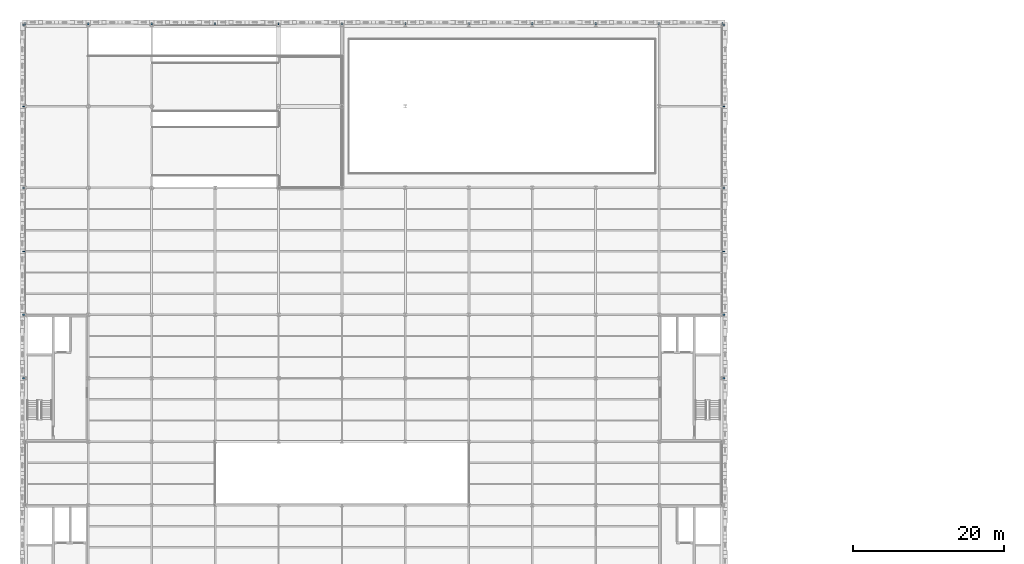
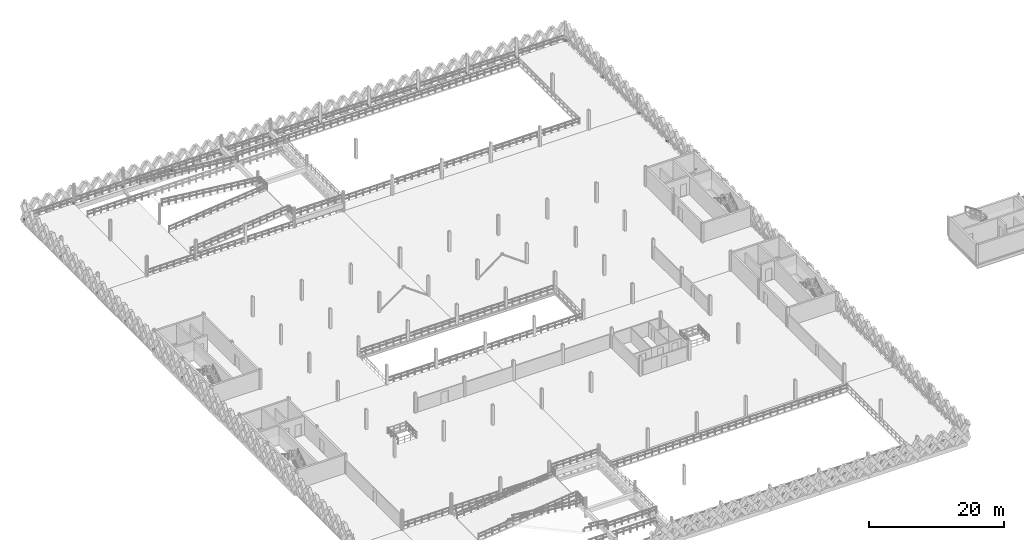
# One storey, part 47 of 79: 24 members.
"""IFC4 building model written with IfcOpenShell, lengths in metres."""

from ifc_helpers import new_model, si_unit, direction, frame, origin, origin_2d, place, context, subcontext, project, spatial, hollow_rectangle, extrude, material, material_profile, profile_set, type_object, element, save


model = new_model("IFC4")

# Units and contexts
model_context = context("Model", 3, precision=1e-05, world=origin(), true_north=direction((0.0, 1.0)))
body_context = subcontext(model_context, "Body", "Model", "MODEL_VIEW")
ifc_project = project(units=[si_unit("LENGTHUNIT", "METRE"), si_unit("AREAUNIT", "SQUARE_METRE"), si_unit("VOLUMEUNIT", "CUBIC_METRE"), si_unit("PLANEANGLEUNIT", "RADIAN"), si_unit("MASSUNIT", "GRAM", prefix="KILO"), si_unit("THERMODYNAMICTEMPERATUREUNIT", "KELVIN"), si_unit("POWERUNIT", "WATT")], contexts=[model_context])

# Site, building, storey
site_placement = place(None, origin())
site = spatial("IfcSite", under=ifc_project, at=site_placement, CompositionType="ELEMENT")
building_placement = place(site_placement, origin())
building = spatial("IfcBuilding", under=site, at=building_placement, Name="Tembeka Court Mobility Hub", CompositionType="ELEMENT")
storey_placement = place(building_placement, frame((0.0, 0.0, 9.0)))
storey = spatial("IfcBuildingStorey", under=building, at=storey_placement, Name="L02", CompositionType="ELEMENT", Elevation=9.0)

# Members
ifc_material = material(Name="Steel S355", Category="steel")
ifc_material_profile = material_profile(ifc_material, hollow_rectangle(XDim=0.14990234375, YDim=0.300048828125, WallThickness=0.010009765625, at=origin_2d()), Name="RHS 300x150x10")
ifc_profile_set = profile_set([ifc_material_profile], Name="Steel S355")
member_type = type_object("IfcMemberType", Name="MEM-ST03", PredefinedType="STRUT", material=ifc_profile_set)
for number, where, z_axis, x_axis, name in (
    (1, (0.0, 118.800048828125, 0.02001953125), (0.0, 1.0, 0.0), (-1.0, 0.0, 0.0), "Lattice outrigger tie SR03 (L02-Y-0)"),
    (2, (8.39990234375, 118.800048828125, 0.02001953125), (0.0, 1.0, 0.0), (-1.0, 0.0, 0.0), "Lattice outrigger tie SR03 (L02-Y-8)"),
    (3, (16.800048828125, 118.800048828125, 0.02001953125), (0.0, 1.0, 0.0), (-1.0, 0.0, 0.0), "Lattice outrigger tie SR03 (L02-Y-16)"),
    (4, (25.199951171875, 118.800048828125, 0.02001953125), (0.0, 1.0, 0.0), (-1.0, 0.0, 0.0), "Lattice outrigger tie SR03 (L02-Y-25)"),
    (5, (33.60009765625, 118.800048828125, 0.02001953125), (0.0, 1.0, 0.0), (-1.0, 0.0, 0.0), "Lattice outrigger tie SR03 (L02-Y-33)"),
    (6, (42.0, 118.800048828125, 0.02001953125), (0.0, 1.0, 0.0), (-1.0, 0.0, 0.0), "Lattice outrigger tie SR03 (L02-Y-42)"),
    (7, (50.39990234375, 118.800048828125, 0.02001953125), (0.0, 1.0, 0.0), (-1.0, 0.0, 0.0), "Lattice outrigger tie SR03 (L02-Y-50)"),
    (8, (58.800048828125, 118.800048828125, 0.02001953125), (0.0, 1.0, 0.0), (-1.0, 0.0, 0.0), "Lattice outrigger tie SR03 (L02-Y-58)"),
    (9, (67.199951171875, 118.800048828125, 0.02001953125), (0.0, 1.0, 0.0), (-1.0, 0.0, 0.0), "Lattice outrigger tie SR03 (L02-Y-67)"),
    (10, (75.60009765625, 118.800048828125, 0.02001953125), (0.0, 1.0, 0.0), (-1.0, 0.0, 0.0), "Lattice outrigger tie SR03 (L02-Y-75)"),
    (11, (84.0, 118.800048828125, 0.02001953125), (0.0, 1.0, 0.0), (-1.0, 0.0, 0.0), "Lattice outrigger tie SR03 (L02-Y-84)"),
    (12, (92.39990234375, 118.800048828125, 0.02001953125), (0.0, 1.0, 0.0), (-1.0, 0.0, 0.0), "Lattice outrigger tie SR03 (L02-Y-92)"),
):
    element("IfcMember", number, at=place(storey_placement, frame(where, z_axis=z_axis, x_axis=x_axis)), inside=storey, type_object=member_type, Name=name, PredefinedType="STRUT", context=body_context, shape_type="SweptSolid", body=[
        extrude(hollow_rectangle(XDim=0.14990234375, YDim=0.300048828125, WallThickness=0.010009765625, at=origin_2d()), origin(), (0.0, 0.0, 1.0), 0.33984375),
    ])
for number, where, z_axis, x_axis, name in (
    (13, (0.0, 72.0, 0.02001953125), (-1.0, 0.0, 0.0), (0.0, -1.0, 0.0), "Lattice outrigger tie SR03 (L02-X-72)"),
    (14, (92.39990234375, 72.0, 0.02001953125), (1.0, 0.0, 0.0), (0.0, 1.0, 0.0), "Lattice outrigger tie SR03 (L02-X-72)"),
    (15, (0.0, 80.39990234375, 0.02001953125), (-1.0, 0.0, 0.0), (0.0, -1.0, 0.0), "Lattice outrigger tie SR03 (L02-X-80)"),
    (16, (92.39990234375, 80.39990234375, 0.02001953125), (1.0, 0.0, 0.0), (0.0, 1.0, 0.0), "Lattice outrigger tie SR03 (L02-X-80)"),
    (17, (0.0, 88.800048828125, 0.02001953125), (-1.0, 0.0, 0.0), (0.0, -1.0, 0.0), "Lattice outrigger tie SR03 (L02-X-88)"),
    (18, (92.39990234375, 88.800048828125, 0.02001953125), (1.0, 0.0, 0.0), (0.0, 1.0, 0.0), "Lattice outrigger tie SR03 (L02-X-88)"),
    (19, (0.0, 97.199951171875, 0.02001953125), (-1.0, 0.0, 0.0), (0.0, -1.0, 0.0), "Lattice outrigger tie SR03 (L02-X-97)"),
    (20, (92.39990234375, 97.199951171875, 0.02001953125), (1.0, 0.0, 0.0), (0.0, 1.0, 0.0), "Lattice outrigger tie SR03 (L02-X-97)"),
    (21, (0.0, 108.0, 0.02001953125), (-1.0, 0.0, 0.0), (0.0, -1.0, 0.0), "Lattice outrigger tie SR03 (L02-X-108)"),
    (22, (92.39990234375, 108.0, 0.02001953125), (1.0, 0.0, 0.0), (0.0, 1.0, 0.0), "Lattice outrigger tie SR03 (L02-X-108)"),
    (23, (0.0, 118.800048828125, 0.02001953125), (-1.0, 0.0, 0.0), (0.0, -1.0, 0.0), "Lattice outrigger tie SR03 (L02-X-118)"),
    (24, (92.39990234375, 118.800048828125, 0.02001953125), (1.0, 0.0, 0.0), (0.0, 1.0, 0.0), "Lattice outrigger tie SR03 (L02-X-118)"),
):
    element("IfcMember", number, at=place(storey_placement, frame(where, z_axis=z_axis, x_axis=x_axis)), inside=storey, type_object=member_type, Name=name, PredefinedType="STRUT", context=body_context, shape_type="SweptSolid", body=[
        extrude(hollow_rectangle(XDim=0.14990234375, YDim=0.300048828125, WallThickness=0.010009765625, at=origin_2d()), origin(), (0.0, 0.0, 1.0), 0.340087890625),
    ])

save(model, "model.ifc")
